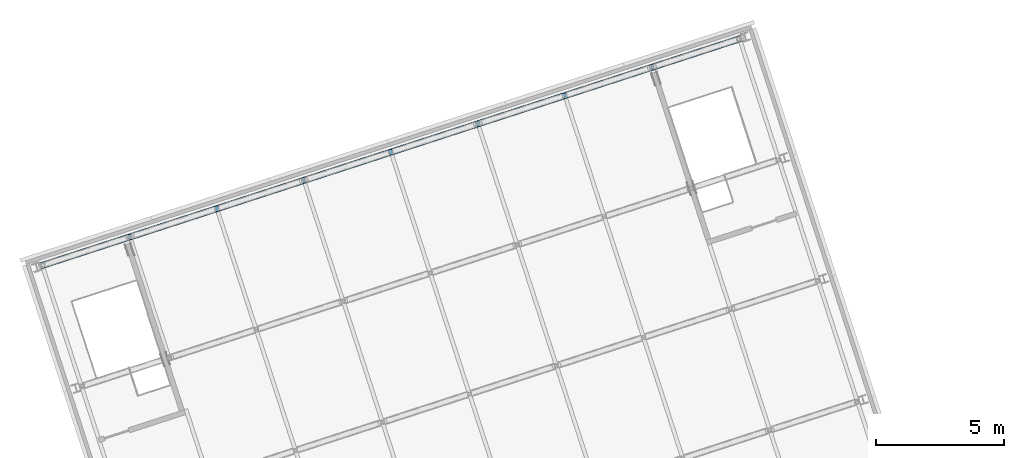
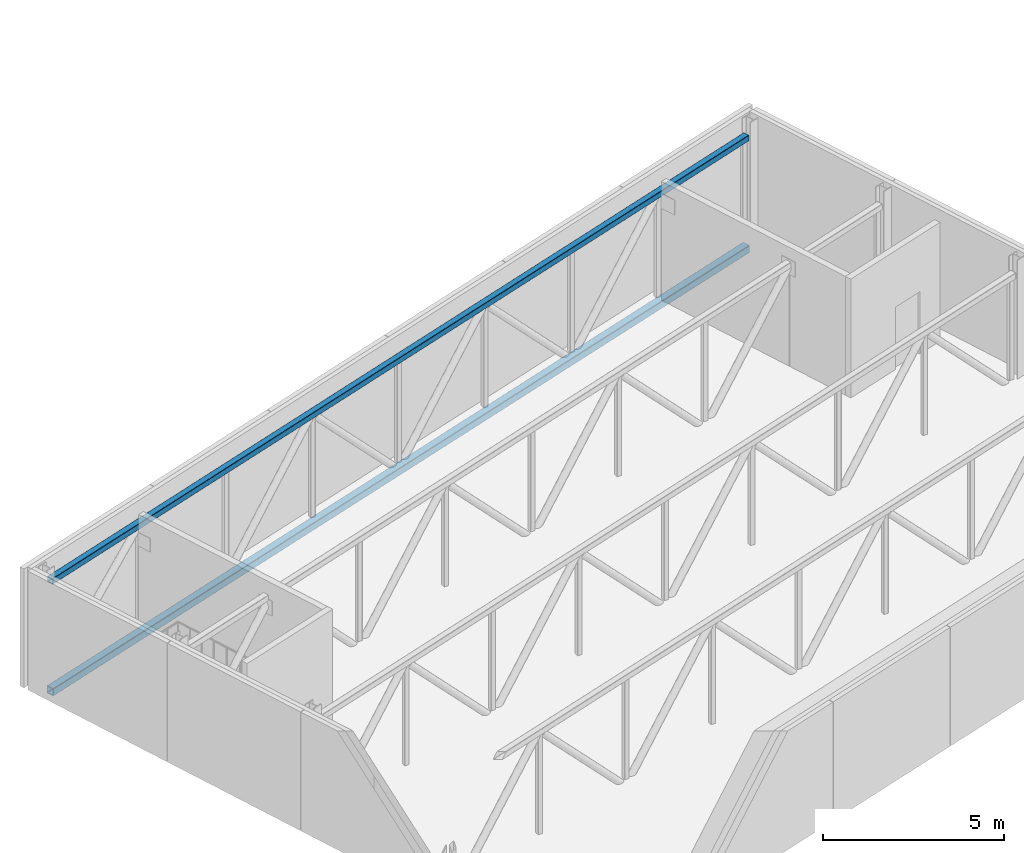
# One storey, part 11 of 52: 2 members.
"""IFC4 building model written with IfcOpenShell, lengths in metres."""

from ifc_helpers import new_model, si_unit, direction, frame, origin, origin_2d, place, context, subcontext, project, spatial, hollow_rectangle, extrude, material, material_profile, profile_set, type_object, element, save


model = new_model("IFC4")

# Units and contexts
model_context = context("Model", 3, precision=1e-05, world=origin(), true_north=direction((0.0, 1.0)))
body_context = subcontext(model_context, "Body", "Model", "MODEL_VIEW")
ifc_project = project(units=[si_unit("LENGTHUNIT", "METRE"), si_unit("AREAUNIT", "SQUARE_METRE"), si_unit("VOLUMEUNIT", "CUBIC_METRE"), si_unit("PLANEANGLEUNIT", "RADIAN"), si_unit("MASSUNIT", "GRAM", prefix="KILO")], contexts=[model_context])

# Site, building, storey
site_placement = place(None, origin())
site = spatial("IfcSite", under=ifc_project, at=site_placement, CompositionType="ELEMENT")
building_placement = place(site_placement, origin())
building = spatial("IfcBuilding", under=site, at=building_placement, Name="Tuart Plaza Theatre", CompositionType="ELEMENT")
storey_placement = place(building_placement, frame((0.0, 0.0, 25.5)))
storey = spatial("IfcBuildingStorey", under=building, at=storey_placement, Name="L06", CompositionType="ELEMENT", Elevation=25.5)

# Members
ifc_material_1 = material(Name="Steel Grade C350L0", Category="steel")
ifc_material_profile_1 = material_profile(ifc_material_1, hollow_rectangle(XDim=0.199951171875, YDim=0.199951171875, WallThickness=0.010009765625, InnerFilletRadius=0.010009765625, OuterFilletRadius=0.02001953125, at=origin_2d()), Name="200x200x10 SHS")
ifc_profile_set_1 = profile_set([ifc_material_profile_1], Name="Steel Grade C350L0")
member_type_1 = type_object("IfcMemberType", Name="MEMBER Chord 200x200x10 SHS", PredefinedType="CHORD", material=ifc_profile_set_1)
member_1_placement = place(storey_placement, frame((35.315185546875, 87.69873046875, 3.447021484375), z_axis=(0.95105495418, 0.309021802029, 0.0), x_axis=(-0.309021802029, 0.95105495418, 0.0)))
element("IfcMember", 1, at=member_1_placement, inside=storey, type_object=member_type_1, Name="CH18", PredefinedType="CHORD", context=body_context, shape_type="SweptSolid", body=[
    extrude(hollow_rectangle(XDim=0.199951171875, YDim=0.199951171875, WallThickness=0.010009765625, InnerFilletRadius=0.010009765625, OuterFilletRadius=0.02001953125, at=origin_2d()), origin(), (0.0, 0.0, 1.0), 28.68896484375),
])
ifc_material_2 = material(Name="Steel Grade C350L0", Category="steel")
ifc_material_profile_2 = material_profile(ifc_material_2, hollow_rectangle(XDim=0.25, YDim=0.25, WallThickness=0.012451171875, InnerFilletRadius=0.012451171875, OuterFilletRadius=0.02490234375, at=origin_2d()), Name="250x250x12.5 SHS")
ifc_profile_set_2 = profile_set([ifc_material_profile_2], Name="Steel Grade C350L0")
member_type_2 = type_object("IfcMemberType", Name="MEMBER Chord 250x250x12.5 SHS", PredefinedType="CHORD", material=ifc_profile_set_2)
member_2_placement = place(storey_placement, frame((35.315185546875, 87.69873046875, -0.27490234375), z_axis=(0.95105495418, 0.309021802029, 0.0), x_axis=(-0.309021802029, 0.95105495418, 0.0)))
element("IfcMember", 2, at=member_2_placement, inside=storey, type_object=member_type_2, Name="CH17", PredefinedType="CHORD", context=body_context, shape_type="SweptSolid", body=[
    extrude(hollow_rectangle(XDim=0.25, YDim=0.25, WallThickness=0.012451171875, InnerFilletRadius=0.012451171875, OuterFilletRadius=0.02490234375, at=origin_2d()), origin(), (0.0, 0.0, 1.0), 28.68896484375),
])

save(model, "model.ifc")
